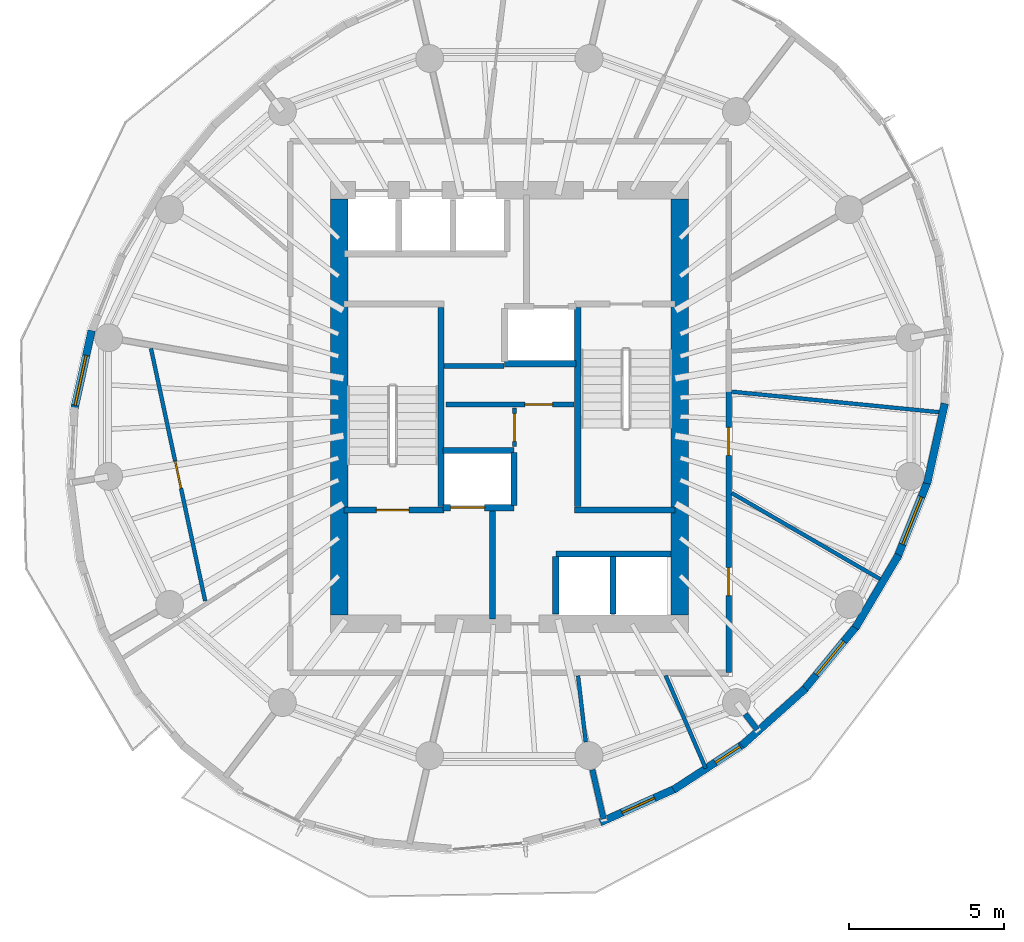
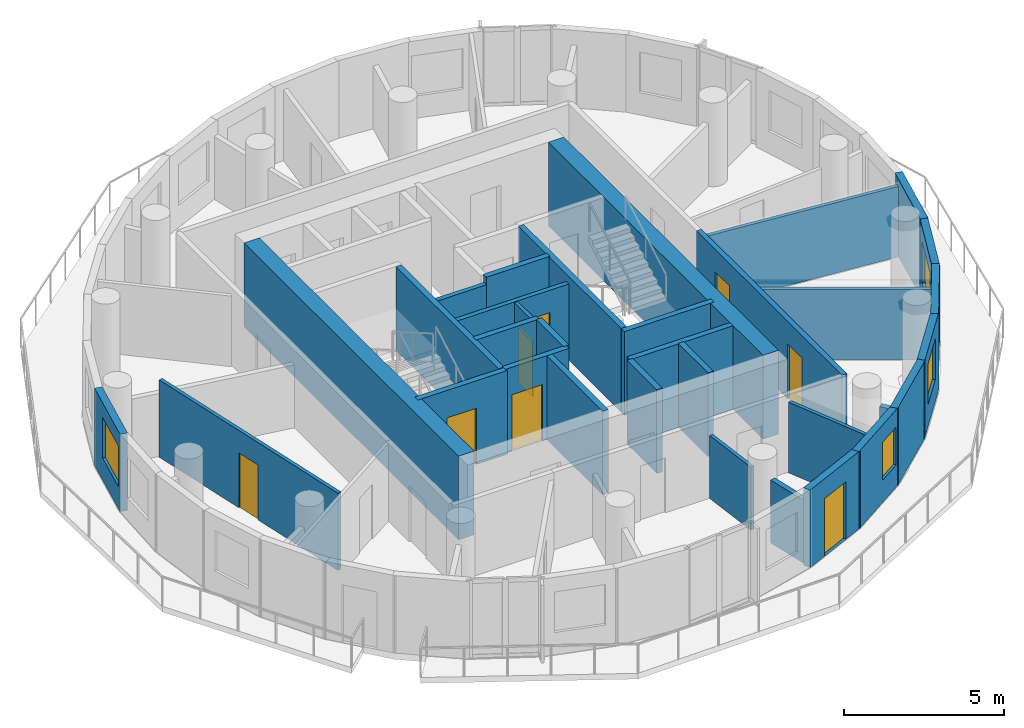
# One storey, part 5 of 10: 33 walls, 8 doors, 4 windows, 12 openings.
"""IFC4 building model written with IfcOpenShell, lengths in metres."""

from ifc_helpers import new_model, si_unit, direction, frame, frame_2d, origin, place, context, subcontext, project, spatial, rectangle, extrude, material, layer, layer_set, type_object, element, fill, save


model = new_model("IFC4")

# Units and contexts
model_context = context("Model", 3, precision=1e-05, world=origin(), true_north=direction((0.0, 1.0)))
body_context = subcontext(model_context, "Body", "Model", "MODEL_VIEW")
ifc_project = project(units=[si_unit("LENGTHUNIT", "METRE"), si_unit("AREAUNIT", "SQUARE_METRE"), si_unit("VOLUMEUNIT", "CUBIC_METRE"), si_unit("PLANEANGLEUNIT", "RADIAN"), si_unit("MASSUNIT", "GRAM", prefix="KILO")], contexts=[model_context])

# Site, building, storey
site_placement = place(None, origin())
site = spatial("IfcSite", under=ifc_project, at=site_placement, CompositionType="ELEMENT")
building_placement = place(site_placement, origin())
building = spatial("IfcBuilding", under=site, at=building_placement, Name="Veldorim Arch Residences", CompositionType="ELEMENT")
storey_placement = place(building_placement, frame((0.0, 0.0, 188.639892578125)))
storey = spatial("IfcBuildingStorey", under=building, at=storey_placement, Name="L56", CompositionType="ELEMENT", Elevation=188.639892578125)

# Wall, opening, door
ifc_material_1 = material(Name="Acoustic Gypsum Board", Category="gypsum")
ifc_layer_1 = layer(ifc_material_1, 0.125, Name="Acoustic Stud Room Partition Wall 125")
ifc_layer_set_1 = layer_set([ifc_layer_1], Name="Acoustic Gypsum Board")
wall_type_1 = type_object("IfcWallType", Name="Acoustic Stud Room Partition Wall 125", PredefinedType="PARTITIONING", material=ifc_layer_set_1)
wall_1_placement = place(storey_placement, frame((32.159912109375, 22.719970703125, 0.0), z_axis=(0.0, 0.0, 1.0), x_axis=(0.0, 1.0, 0.0)))
wall_1 = element("IfcWall", 1, at=wall_1_placement, inside=storey, type_object=wall_type_1, Name="L56 interior wall WL-CA-L56-2", PredefinedType="PARTITIONING", context=body_context, shape_type="SweptSolid", body=[
    extrude(rectangle(XDim=1.25, YDim=0.125, at=frame_2d((0.625, 0.0))), origin(), (0.0, 0.0, 1.0), 2.955078125),
])
opening_1_placement = place(wall_1_placement, frame((0.169921875, 0.0, 0.0)))
opening_1 = element("IfcOpeningElement", 2, at=opening_1_placement, cuts=wall_1, Name="Opening DR-SVC", PredefinedType="OPENING", context=body_context, shape_type="SweptSolid", body=[
    extrude(rectangle(XDim=0.89990234375, YDim=2.10009765625, at=frame_2d((0.449951171875, 1.050048828125))), frame((0.0, 0.072509765625, 0.0), z_axis=(0.0, -1.0, 0.0), x_axis=(1.0, 0.0, 0.0)), (0.0, 0.0, 1.0), 0.14501953125),
])
ifc_material_2 = material(Name="Fire-Rated Steel", Category="steel")
door_type_1 = type_object("IfcDoorType", Name="Riser, Shelter & Plant Room Rated Steel Door 900x2100", OperationType="SINGLE_SWING_LEFT", PredefinedType="DOOR", material=ifc_material_2)
door_1_placement = place(opening_1_placement, origin())
door_1 = element("IfcDoor", 3, at=door_1_placement, inside=storey, type_object=door_type_1, Name="L56 interior door DR-L56-CA2", OperationType="SINGLE_SWING_RIGHT", OverallHeight=2.10009765625, OverallWidth=0.89990234375, PredefinedType="DOOR", context=body_context, shape_type="SweptSolid", body=[
    extrude(rectangle(XDim=0.89990234375, YDim=2.10009765625, at=frame_2d((0.449951171875, 1.050048828125))), frame((0.0, 0.02490234375, 0.0), z_axis=(0.0, -1.0, 0.0), x_axis=(1.0, 0.0, 0.0)), (0.0, 0.0, 1.0), 0.050048828125),
])
fill(opening_1, door_1)

# Walls
wall_2_placement = place(storey_placement, frame((44.06591796875, 18.390380859375, 0.0), z_axis=(0.0, 0.0, 1.0), x_axis=(-0.865092390625, 0.501612555348, 0.0)))
element("IfcWall", 4, at=wall_2_placement, inside=storey, type_object=wall_type_1, Name="L56 interior wall WL-RES-L56-010", PredefinedType="PARTITIONING", context=body_context, shape_type="SweptSolid", body=[
    extrude(rectangle(XDim=5.643310546875, YDim=0.125, at=frame_2d((2.82177734375, 0.0))), origin(), (0.0, 0.0, 1.0), 2.692138671875),
])
wall_3_placement = place(storey_placement, frame((39.179443359375, 24.49658203125, 0.0), z_axis=(0.0, 0.0, 1.0), x_axis=(0.995152744832, -0.098341316102, 0.0)))
element("IfcWall", 5, at=wall_3_placement, inside=storey, type_object=wall_type_1, Name="L56 interior wall WL-RES-L56-011", PredefinedType="PARTITIONING", context=body_context, shape_type="SweptSolid", body=[
    extrude(rectangle(XDim=6.842041015625, YDim=0.125, at=frame_2d((3.4208984375, 0.0))), origin(), (0.0, 0.0, 1.0), 2.692138671875),
])
wall_4_placement = place(storey_placement, frame((38.341796875, 12.33056640625, 0.0), z_axis=(0.0, 0.0, 1.0), x_axis=(-0.396192482216, 0.918167477662, 0.0)))
element("IfcWall", 6, at=wall_4_placement, inside=storey, type_object=wall_type_1, Name="L56 interior wall WL-RES-L56-012", PredefinedType="PARTITIONING", context=body_context, shape_type="SweptSolid", body=[
    extrude(rectangle(XDim=3.2646484375, YDim=0.125, at=frame_2d((1.63232421875, 0.0))), origin(), (0.0, 0.0, 1.0), 2.692138671875),
])
wall_5_placement = place(storey_placement, frame((34.467041015625, 13.17578125, 0.0), z_axis=(0.0, 0.0, 1.0), x_axis=(-0.115430815868, 0.993315522253, 0.0)))
element("IfcWall", 7, at=wall_5_placement, inside=storey, type_object=wall_type_1, Name="L56 interior wall WL-RES-L56-013", PredefinedType="PARTITIONING", context=body_context, shape_type="SweptSolid", body=[
    extrude(rectangle(XDim=2.159423828125, YDim=0.125, at=frame_2d((1.07958984375, 0.0))), origin(), (0.0, 0.0, 1.0), 2.403564453125),
])

# Wall, opening, door
wall_6_placement = place(storey_placement, frame((22.173095703125, 17.73486328125, 0.0), z_axis=(0.0, 0.0, 1.0), x_axis=(-0.20987090056, 0.977729106194, 0.0)))
wall_6 = element("IfcWall", 8, at=wall_6_placement, inside=storey, type_object=wall_type_1, Name="L56 interior wall WL-RES-L56-022", PredefinedType="PARTITIONING", context=body_context, shape_type="SweptSolid", body=[
    extrude(rectangle(XDim=8.3408203125, YDim=0.125, at=frame_2d((4.17041015625, 0.0))), origin(), (0.0, 0.0, 1.0), 2.955078125),
])
opening_2_placement = place(wall_6_placement, frame((3.720458984375, 0.0, 0.0)))
opening_2 = element("IfcOpeningElement", 9, at=opening_2_placement, cuts=wall_6, Name="Opening DR-INT", PredefinedType="OPENING", context=body_context, shape_type="SweptSolid", body=[
    extrude(rectangle(XDim=0.89990234375, YDim=2.10009765625, at=frame_2d((0.449951171875, 1.050048828125))), frame((0.0, 0.072509765625, 0.0), z_axis=(0.0, -1.0, 0.0), x_axis=(1.0, 0.0, 0.0)), (0.0, 0.0, 1.0), 0.14501953125),
])
ifc_material_3 = material(Name="Engineered Timber", Category="wood")
door_type_2 = type_object("IfcDoorType", Name="Apartment Internal Room Timber Door 900x2100", OperationType="SINGLE_SWING_LEFT", PredefinedType="DOOR", material=ifc_material_3)
door_2_placement = place(opening_2_placement, origin())
door_2 = element("IfcDoor", 10, at=door_2_placement, inside=storey, type_object=door_type_2, Name="L56 interior door DR-RES-L56-015", OperationType="SINGLE_SWING_LEFT", OverallHeight=2.10009765625, OverallWidth=0.89990234375, PredefinedType="DOOR", context=body_context, shape_type="SweptSolid", body=[
    extrude(rectangle(XDim=0.89990234375, YDim=2.10009765625, at=frame_2d((0.449951171875, 1.050048828125))), frame((0.0, 0.02490234375, 0.0), z_axis=(0.0, -1.0, 0.0), x_axis=(1.0, 0.0, 0.0)), (0.0, 0.0, 1.0), 0.050048828125),
])
fill(opening_2, door_2)

# Walls
ifc_material_4 = material(Name="Lightweight Masonry Block & Gypsum", Category="masonry")
ifc_layer_2 = layer(ifc_material_4, 0.179931640625, Name="Compartment & Corridor Fire-Rated Party Wall 180")
ifc_layer_set_2 = layer_set([ifc_layer_2], Name="Lightweight Masonry Block & Gypsum")
wall_type_2 = type_object("IfcWallType", Name="Compartment & Corridor Fire-Rated Party Wall 180", PredefinedType="PARTITIONING", material=ifc_layer_set_2)
wall_7_placement = place(storey_placement, frame((34.679931640625, 12.282470703125, 0.0), z_axis=(0.0, 0.0, 1.0), x_axis=(0.222967107114, -0.974825968645, 0.0)))
element("IfcWall", 11, at=wall_7_placement, inside=storey, type_object=wall_type_2, Name="L56 interior wall WL-PIER-L56-13", PredefinedType="PARTITIONING", context=body_context, shape_type="SweptSolid", body=[
    extrude(rectangle(XDim=1.63037109375, YDim=0.179931640625, at=frame_2d((0.815185546875, 0.0))), origin(), (0.0, 0.0, 1.0), 2.403564453125),
])
wall_8_placement = place(storey_placement, frame((39.619873046875, 14.08203125, 0.0), z_axis=(0.0, 0.0, 1.0), x_axis=(0.609112888366, -0.793083532314, 0.0)))
element("IfcWall", 12, at=wall_8_placement, inside=storey, type_object=wall_type_2, Name="L56 interior wall WL-PIER-L56-14", PredefinedType="PARTITIONING", context=body_context, shape_type="SweptSolid", body=[
    extrude(rectangle(XDim=0.631591796875, YDim=0.179931640625, at=frame_2d((0.31591796875, 0.0))), origin(), (0.0, 0.0, 1.0), 2.403564453125),
])

# Wall, openings, doors
wall_9_placement = place(storey_placement, frame((39.080078125, 24.5263671875, 0.0), z_axis=(0.0, 0.0, 1.0), x_axis=(0.0, -1.0, 0.0)))
wall_9 = element("IfcWall", 13, at=wall_9_placement, inside=storey, type_object=wall_type_2, Name="L56 interior wall WL-RES-L56-002", PredefinedType="PARTITIONING", context=body_context, shape_type="SweptSolid", body=[
    extrude(rectangle(XDim=9.1064453125, YDim=0.179931640625, at=frame_2d((4.55322265625, 0.0))), origin(), (0.0, 0.0, 1.0), 2.955078125),
])
opening_3_placement = place(wall_9_placement, frame((1.183837890625, 0.0, 0.0)))
opening_3 = element("IfcOpeningElement", 14, at=opening_3_placement, cuts=wall_9, Name="Opening DR-INT", PredefinedType="OPENING", context=body_context, shape_type="SweptSolid", body=[
    extrude(rectangle(XDim=0.89990234375, YDim=2.10009765625, at=frame_2d((0.449951171875, 1.050048828125))), frame((0.0, 0.099853515625, 0.0), z_axis=(0.0, -1.0, 0.0), x_axis=(1.0, 0.0, 0.0)), (0.0, 0.0, 1.0), 0.199951171875),
])
opening_4_placement = place(wall_9_placement, frame((5.715576171875, 0.0, 0.0)))
opening_4 = element("IfcOpeningElement", 15, at=opening_4_placement, cuts=wall_9, Name="Opening DR-INT", PredefinedType="OPENING", context=body_context, shape_type="SweptSolid", body=[
    extrude(rectangle(XDim=0.89990234375, YDim=2.10009765625, at=frame_2d((0.449951171875, 1.050048828125))), frame((0.0, 0.099853515625, 0.0), z_axis=(0.0, -1.0, 0.0), x_axis=(1.0, 0.0, 0.0)), (0.0, 0.0, 1.0), 0.199951171875),
])
door_3_placement = place(opening_3_placement, origin())
door_3 = element("IfcDoor", 16, at=door_3_placement, inside=storey, type_object=door_type_2, Name="L56 interior door DR-RES-L56-002", OperationType="SINGLE_SWING_RIGHT", OverallHeight=2.10009765625, OverallWidth=0.89990234375, PredefinedType="DOOR", context=body_context, shape_type="SweptSolid", body=[
    extrude(rectangle(XDim=0.89990234375, YDim=2.10009765625, at=frame_2d((0.449951171875, 1.050048828125))), frame((0.0, 0.02490234375, 0.0), z_axis=(0.0, -1.0, 0.0), x_axis=(1.0, 0.0, 0.0)), (0.0, 0.0, 1.0), 0.050048828125),
])
fill(opening_3, door_3)
door_4_placement = place(opening_4_placement, origin())
door_4 = element("IfcDoor", 17, at=door_4_placement, inside=storey, type_object=door_type_2, Name="L56 interior door DR-RES-L56-003", OperationType="SINGLE_SWING_LEFT", OverallHeight=2.10009765625, OverallWidth=0.89990234375, PredefinedType="DOOR", context=body_context, shape_type="SweptSolid", body=[
    extrude(rectangle(XDim=0.89990234375, YDim=2.10009765625, at=frame_2d((0.449951171875, 1.050048828125))), frame((0.0, 0.02490234375, 0.0), z_axis=(0.0, -1.0, 0.0), x_axis=(1.0, 0.0, 0.0)), (0.0, 0.0, 1.0), 0.050048828125),
])
fill(opening_4, door_4)

# Wall
ifc_material_5 = material(Name="Concrete C50/60", Category="concrete")
ifc_layer_3 = layer(ifc_material_5, 0.199951171875, Name="Core Stair & Lift Shaft Enclosure Wall 200")
ifc_layer_set_3 = layer_set([ifc_layer_3], Name="Concrete C50/60")
wall_type_3 = type_object("IfcWallType", Name="Core Stair & Lift Shaft Enclosure Wall 200", PredefinedType="SHEAR", material=ifc_layer_set_3)
wall_10_placement = place(storey_placement, frame((29.7900390625, 20.780029296875, 0.0), z_axis=(0.0, 0.0, 1.0), x_axis=(0.0, 1.0, 0.0)))
element("IfcWall", 18, at=wall_10_placement, inside=storey, type_object=wall_type_3, Name="L56 shaft wall WL-SHF-L56-ST1-E", PredefinedType="SHEAR", context=body_context, shape_type="SweptSolid", body=[
    extrude(rectangle(XDim=6.43994140625, YDim=0.199951171875, at=frame_2d((3.219970703125, 0.0))), origin(), (0.0, 0.0, 1.0), 3.2001953125),
])

# Wall, opening, door
wall_11_placement = place(storey_placement, frame((26.64990234375, 20.669921875, 0.0), z_axis=(0.0, 0.0, 1.0), x_axis=(1.0, 0.0, 0.0)))
wall_11 = element("IfcWall", 19, at=wall_11_placement, inside=storey, type_object=wall_type_3, Name="L56 shaft wall WL-SHF-L56-ST1-S", PredefinedType="SHEAR", context=body_context, shape_type="SweptSolid", body=[
    extrude(rectangle(XDim=3.239990234375, YDim=0.199951171875, at=frame_2d((1.6201171875, 0.0))), origin(), (0.0, 0.0, 1.0), 3.2001953125),
])
opening_5_placement = place(wall_11_placement, frame((1.054931640625, 0.0, 0.0)))
opening_5 = element("IfcOpeningElement", 20, at=opening_5_placement, cuts=wall_11, Name="Opening DR-ST", PredefinedType="OPENING", context=body_context, shape_type="SweptSolid", body=[
    extrude(rectangle(XDim=1.050048828125, YDim=2.14990234375, at=frame_2d((0.52490234375, 1.074951171875))), frame((0.0, 0.10986328125, 0.0), z_axis=(0.0, -1.0, 0.0), x_axis=(1.0, 0.0, 0.0)), (0.0, 0.0, 1.0), 0.219970703125),
])
ifc_material_6 = material(Name="Fire-Rated Steel", Category="steel")
door_type_3 = type_object("IfcDoorType", Name="Exit Staircase Self-Closing Fire Door 1050x2150", OperationType="SINGLE_SWING_LEFT", PredefinedType="DOOR", material=ifc_material_6)
door_5_placement = place(opening_5_placement, origin())
door_5 = element("IfcDoor", 21, at=door_5_placement, inside=storey, type_object=door_type_3, Name="L56 interior door DR-L56-ST1", OperationType="SINGLE_SWING_LEFT", OverallHeight=2.14990234375, OverallWidth=1.050048828125, PredefinedType="DOOR", context=body_context, shape_type="SweptSolid", body=[
    extrude(rectangle(XDim=1.050048828125, YDim=2.14990234375, at=frame_2d((0.52490234375, 1.074951171875))), frame((0.0, 0.02490234375, 0.0), z_axis=(0.0, -1.0, 0.0), x_axis=(1.0, 0.0, 0.0)), (0.0, 0.0, 1.0), 0.050048828125),
])
fill(opening_5, door_5)

# Walls
wall_12_placement = place(storey_placement, frame((34.2099609375, 20.780029296875, 0.0), z_axis=(0.0, 0.0, 1.0), x_axis=(0.0, 1.0, 0.0)))
element("IfcWall", 22, at=wall_12_placement, inside=storey, type_object=wall_type_3, Name="L56 shaft wall WL-SHF-L56-ST2-W", PredefinedType="SHEAR", context=body_context, shape_type="SweptSolid", body=[
    extrude(rectangle(XDim=6.43994140625, YDim=0.199951171875, at=frame_2d((3.219970703125, 0.0))), origin(), (0.0, 0.0, 1.0), 3.2001953125),
])
wall_13_placement = place(storey_placement, frame((34.110107421875, 20.669921875, 0.0), z_axis=(0.0, 0.0, 1.0), x_axis=(1.0, 0.0, 0.0)))
element("IfcWall", 23, at=wall_13_placement, inside=storey, type_object=wall_type_3, Name="L56 shaft wall WL-SHF-L56-ST2-S", PredefinedType="SHEAR", context=body_context, shape_type="SweptSolid", body=[
    extrude(rectangle(XDim=3.239990234375, YDim=0.199951171875, at=frame_2d((1.6201171875, 0.0))), origin(), (0.0, 0.0, 1.0), 3.2001953125),
])
wall_14_placement = place(storey_placement, frame((31.449951171875, 17.14990234375, 0.0), z_axis=(0.0, 0.0, 1.0), x_axis=(0.0, 1.0, 0.0)))
element("IfcWall", 24, at=wall_14_placement, inside=storey, type_object=wall_type_3, Name="L56 shaft wall WL-FFL1-L56-E", PredefinedType="SHEAR", context=body_context, shape_type="SweptSolid", body=[
    extrude(rectangle(XDim=3.5, YDim=0.199951171875, at=frame_2d((1.75, 0.0))), origin(), (0.0, 0.0, 1.0), 3.2001953125),
])

# Wall, opening, door
wall_15_placement = place(storey_placement, frame((29.85009765625, 20.75, 0.0), z_axis=(0.0, 0.0, 1.0), x_axis=(1.0, 0.0, 0.0)))
wall_15 = element("IfcWall", 25, at=wall_15_placement, inside=storey, type_object=wall_type_3, Name="L56 shaft wall WL-FL01-L56-S", PredefinedType="SHEAR", context=body_context, shape_type="SweptSolid", body=[
    extrude(rectangle(XDim=2.2998046875, YDim=0.199951171875, at=frame_2d((1.14990234375, 0.0))), origin(), (0.0, 0.0, 1.0), 3.2001953125),
])
opening_6_placement = place(wall_15_placement, frame((0.25, 0.0, 0.0)))
opening_6 = element("IfcOpeningElement", 26, at=opening_6_placement, cuts=wall_15, Name="Opening LD-FF", PredefinedType="OPENING", context=body_context, shape_type="SweptSolid", body=[
    extrude(rectangle(XDim=1.10009765625, YDim=2.14990234375, at=frame_2d((0.550048828125, 1.074951171875))), frame((0.0, 0.10986328125, 0.0), z_axis=(0.0, -1.0, 0.0), x_axis=(1.0, 0.0, 0.0)), (0.0, 0.0, 1.0), 0.219970703125),
])
ifc_material_7 = material(Name="Stainless Steel", Category="steel")
door_type_4 = type_object("IfcDoorType", Name="Firefighting Lift Bi-Parting Sliding Landing Door 1100x2150", OperationType="DOUBLE_DOOR_SLIDING", PredefinedType="DOOR", material=ifc_material_7)
door_6_placement = place(opening_6_placement, origin())
door_6 = element("IfcDoor", 27, at=door_6_placement, inside=storey, type_object=door_type_4, Name="L56 lift landing door LD-L56-FL01", OperationType="DOUBLE_DOOR_SLIDING", OverallHeight=2.14990234375, OverallWidth=1.10009765625, PredefinedType="DOOR", context=body_context, shape_type="SweptSolid", body=[
    extrude(rectangle(XDim=1.10009765625, YDim=2.14990234375, at=frame_2d((0.550048828125, 1.074951171875))), frame((0.0, 0.02490234375, 0.0), z_axis=(0.0, -1.0, 0.0), x_axis=(1.0, 0.0, 0.0)), (0.0, 0.0, 1.0), 0.050048828125),
])
fill(opening_6, door_6)

# Walls
wall_16_placement = place(storey_placement, frame((29.85009765625, 22.60009765625, 0.0), z_axis=(0.0, 0.0, 1.0), x_axis=(1.0, 0.0, 0.0)))
element("IfcWall", 28, at=wall_16_placement, inside=storey, type_object=wall_type_3, Name="L56 shaft wall WL-FL01-L56-N", PredefinedType="SHEAR", context=body_context, shape_type="SweptSolid", body=[
    extrude(rectangle(XDim=2.2998046875, YDim=0.199951171875, at=frame_2d((1.14990234375, 0.0))), origin(), (0.0, 0.0, 1.0), 3.2001953125),
])
wall_17_placement = place(storey_placement, frame((32.14990234375, 20.820068359375, 0.0), z_axis=(0.0, 0.0, 1.0), x_axis=(0.0, 1.0, 0.0)))
element("IfcWall", 29, at=wall_17_placement, inside=storey, type_object=wall_type_3, Name="L56 shaft wall WL-FL01-L56-E", PredefinedType="SHEAR", context=body_context, shape_type="SweptSolid", body=[
    extrude(rectangle(XDim=1.7099609375, YDim=0.199951171875, at=frame_2d((0.85498046875, 0.0))), origin(), (0.0, 0.0, 1.0), 3.2001953125),
])
wall_18_placement = place(storey_placement, frame((31.85009765625, 25.39990234375, 0.0), z_axis=(0.0, 0.0, 1.0), x_axis=(1.0, 0.0, 0.0)))
element("IfcWall", 30, at=wall_18_placement, inside=storey, type_object=wall_type_3, Name="L56 shaft wall WL-FL02-L56-S", PredefinedType="SHEAR", context=body_context, shape_type="SweptSolid", body=[
    extrude(rectangle(XDim=2.2998046875, YDim=0.199951171875, at=frame_2d((1.14990234375, 0.0))), origin(), (0.0, 0.0, 1.0), 3.2001953125),
])
wall_19_placement = place(storey_placement, frame((33.5, 19.25, 0.0), z_axis=(0.0, 0.0, 1.0), x_axis=(1.0, 0.0, 0.0)))
element("IfcWall", 31, at=wall_19_placement, inside=storey, type_object=wall_type_3, Name="L56 shaft wall WL-OL-L56-N", PredefinedType="SHEAR", context=body_context, shape_type="SweptSolid", body=[
    extrude(rectangle(XDim=3.719970703125, YDim=0.199951171875, at=frame_2d((1.85986328125, 0.0))), origin(), (0.0, 0.0, 1.0), 3.2001953125),
])
for number, where, z_axis, x_axis, name in (
    (32, (33.5, 17.320068359375, 0.0), (0.0, 0.0, 1.0), (0.0, 1.0, 0.0), "L56 shaft wall WL-OL-L56-W"),
    (33, (35.35009765625, 17.320068359375, 0.0), (0.0, 0.0, 1.0), (0.0, 1.0, 0.0), "L56 shaft wall WL-OL-L56-D1"),
):
    element("IfcWall", number, at=place(storey_placement, frame(where, z_axis=z_axis, x_axis=x_axis)), inside=storey, type_object=wall_type_3, Name=name, PredefinedType="SHEAR", context=body_context, shape_type="SweptSolid", body=[
        extrude(rectangle(XDim=1.85986328125, YDim=0.199951171875, at=frame_2d((0.929931640625, 0.0))), origin(), (0.0, 0.0, 1.0), 3.2001953125),
    ])

# Wall, opening, window
ifc_material_8 = material(Name="Precast concrete C40/50", Category="concrete")
ifc_layer_4 = layer(ifc_material_8, 0.25, Name="Tower Terracotta Spandrel & Pier Wall 250")
ifc_layer_set_4 = layer_set([ifc_layer_4], Name="Precast concrete C40/50")
wall_type_4 = type_object("IfcWallType", Name="Tower Terracotta Spandrel & Pier Wall 250", PredefinedType="SOLIDWALL", material=ifc_layer_set_4)
wall_20_placement = place(storey_placement, frame((17.931884765625, 23.884033203125, 0.0), z_axis=(0.0, 0.0, 1.0), x_axis=(0.215877166516, 0.976420528756, 0.0)))
wall_20 = element("IfcWall", 34, at=wall_20_placement, inside=storey, type_object=wall_type_4, Name="L56 terracotta facade wall 13", PredefinedType="SOLIDWALL", context=body_context, shape_type="SweptSolid", body=[
    extrude(rectangle(XDim=2.65087890625, YDim=0.25, at=frame_2d((1.325439453125, 0.0))), origin(), (0.0, 0.0, 1.0), 2.960205078125),
])
opening_7_placement = place(wall_20_placement, frame((0.175048828125, 0.0, 0.85009765625)))
opening_7 = element("IfcOpeningElement", 35, at=opening_7_placement, cuts=wall_20, Name="Opening WN-03", PredefinedType="OPENING", context=body_context, shape_type="SweptSolid", body=[
    extrude(rectangle(XDim=1.64990234375, YDim=1.550048828125, at=frame_2d((0.824951171875, 0.77490234375))), frame((0.0, 0.135009765625, 0.0), z_axis=(0.0, -1.0, 0.0), x_axis=(1.0, 0.0, 0.0)), (0.0, 0.0, 1.0), 0.27001953125),
])
ifc_material_9 = material(Name="Laminated Low-E Glass", Category="glass")
window_type_1 = type_object("IfcWindowType", Name="Residential Wide Window 1650x1550", PartitioningType="SINGLE_PANEL", PredefinedType="WINDOW", material=ifc_material_9)
window_1_placement = place(opening_7_placement, origin())
window_1 = element("IfcWindow", 36, at=window_1_placement, inside=storey, type_object=window_type_1, Name="L56 solar-control facade window 13", OverallHeight=1.550048828125, OverallWidth=1.64990234375, PartitioningType="SINGLE_PANEL", PredefinedType="WINDOW", context=body_context, shape_type="SweptSolid", body=[
    extrude(rectangle(XDim=1.64990234375, YDim=1.550048828125, at=frame_2d((0.824951171875, 0.77490234375))), frame((0.0, 0.030029296875, 0.0), z_axis=(0.0, -1.0, 0.0), x_axis=(1.0, 0.0, 0.0)), (0.0, 0.0, 1.0), 0.06005859375),
])
fill(opening_7, window_1)

# Wall, opening, door
wall_21_placement = place(storey_placement, frame((37.3974609375, 11.687255859375, 0.0), z_axis=(0.0, 0.0, 1.0), x_axis=(-0.912615139532, -0.408819773368, 0.0)))
wall_21 = element("IfcWall", 37, at=wall_21_placement, inside=storey, type_object=wall_type_4, Name="L56 terracotta facade wall 25", PredefinedType="SOLIDWALL", context=body_context, shape_type="SweptSolid", body=[
    extrude(rectangle(XDim=2.70166015625, YDim=0.25, at=frame_2d((1.350830078125, 0.0))), origin(), (0.0, 0.0, 1.0), 2.960205078125),
])
opening_8_placement = place(wall_21_placement, frame((0.77587890625, 0.0, 0.0)))
opening_8 = element("IfcOpeningElement", 38, at=opening_8_placement, cuts=wall_21, Name="Opening BL-DR", PredefinedType="OPENING", context=body_context, shape_type="SweptSolid", body=[
    extrude(rectangle(XDim=1.14990234375, YDim=2.199951171875, at=frame_2d((0.574951171875, 1.10009765625))), frame((0.0, 0.135009765625, 0.0), z_axis=(0.0, -1.0, 0.0), x_axis=(1.0, 0.0, 0.0)), (0.0, 0.0, 1.0), 0.27001953125),
])
ifc_material_10 = material(Name="Aluminium & Low-E Glass", Category="aluminium")
door_type_5 = type_object("IfcDoorType", Name="Glazed Planted Balcony Door 1150x2200", OperationType="SINGLE_SWING_LEFT", PredefinedType="DOOR", material=ifc_material_10)
door_7_placement = place(opening_8_placement, origin())
door_7 = element("IfcDoor", 39, at=door_7_placement, inside=storey, type_object=door_type_5, Name="L56 glazed outdoor terrace door BALC-2", OperationType="SINGLE_SWING_LEFT", OverallHeight=2.199951171875, OverallWidth=1.14990234375, PredefinedType="DOOR", context=body_context, shape_type="SweptSolid", body=[
    extrude(rectangle(XDim=1.14990234375, YDim=2.199951171875, at=frame_2d((0.574951171875, 1.10009765625))), frame((0.0, 0.02490234375, 0.0), z_axis=(0.0, -1.0, 0.0), x_axis=(1.0, 0.0, 0.0)), (0.0, 0.0, 1.0), 0.050048828125),
])
fill(opening_8, door_7)

# Wall, opening, window
wall_22_placement = place(storey_placement, frame((39.595947265625, 13.1298828125, 0.0), z_axis=(0.0, 0.0, 1.0), x_axis=(-0.837860586987, -0.545884270496, 0.0)))
wall_22 = element("IfcWall", 40, at=wall_22_placement, inside=storey, type_object=wall_type_4, Name="L56 terracotta facade wall 26", PredefinedType="SOLIDWALL", context=body_context, shape_type="SweptSolid", body=[
    extrude(rectangle(XDim=2.738525390625, YDim=0.25, at=frame_2d((1.369140625, 0.0))), origin(), (0.0, 0.0, 1.0), 2.960205078125),
])
opening_9_placement = place(wall_22_placement, frame((0.175048828125, 0.0, 0.85009765625)))
opening_9 = element("IfcOpeningElement", 41, at=opening_9_placement, cuts=wall_22, Name="Opening WN-05", PredefinedType="OPENING", context=body_context, shape_type="SweptSolid", body=[
    extrude(rectangle(XDim=0.949951171875, YDim=1.449951171875, at=frame_2d((0.47509765625, 0.72509765625))), frame((0.0, 0.135009765625, 0.0), z_axis=(0.0, -1.0, 0.0), x_axis=(1.0, 0.0, 0.0)), (0.0, 0.0, 1.0), 0.27001953125),
])
ifc_material_11 = material(Name="Laminated Low-E Glass", Category="glass")
window_type_2 = type_object("IfcWindowType", Name="Residential Compact Casement Window 950x1450", PartitioningType="SINGLE_PANEL", PredefinedType="WINDOW", material=ifc_material_11)
window_2_placement = place(opening_9_placement, origin())
window_2 = element("IfcWindow", 42, at=window_2_placement, inside=storey, type_object=window_type_2, Name="L56 solar-control facade window 26", OverallHeight=1.449951171875, OverallWidth=0.949951171875, PartitioningType="SINGLE_PANEL", PredefinedType="WINDOW", context=body_context, shape_type="SweptSolid", body=[
    extrude(rectangle(XDim=0.949951171875, YDim=1.449951171875, at=frame_2d((0.47509765625, 0.72509765625))), frame((0.0, 0.030029296875, 0.0), z_axis=(0.0, -1.0, 0.0), x_axis=(1.0, 0.0, 0.0)), (0.0, 0.0, 1.0), 0.06005859375),
])
fill(opening_9, window_2)

# Wall
wall_23_placement = place(storey_placement, frame((41.56396484375, 14.90380859375, 0.0), z_axis=(0.0, 0.0, 1.0), x_axis=(-0.744898573364, -0.667177723998, 0.0)))
element("IfcWall", 43, at=wall_23_placement, inside=storey, type_object=wall_type_4, Name="L56 terracotta facade wall 27", PredefinedType="SOLIDWALL", context=body_context, shape_type="SweptSolid", body=[
    extrude(rectangle(XDim=2.758056640625, YDim=0.25, at=frame_2d((1.37890625, 0.0))), origin(), (0.0, 0.0, 1.0), 2.960205078125),
])

# Wall, opening, window
wall_24_placement = place(storey_placement, frame((43.2412109375, 16.955078125, 0.0), z_axis=(0.0, 0.0, 1.0), x_axis=(-0.635409334306, -0.772175483861, 0.0)))
wall_24 = element("IfcWall", 44, at=wall_24_placement, inside=storey, type_object=wall_type_4, Name="L56 terracotta facade wall 28", PredefinedType="SOLIDWALL", context=body_context, shape_type="SweptSolid", body=[
    extrude(rectangle(XDim=2.758056640625, YDim=0.25, at=frame_2d((1.37890625, 0.0))), origin(), (0.0, 0.0, 1.0), 2.960205078125),
])
opening_10_placement = place(wall_24_placement, frame((0.678955078125, 0.0, 0.85009765625)))
opening_10 = element("IfcOpeningElement", 45, at=opening_10_placement, cuts=wall_24, Name="Opening WN-02", PredefinedType="OPENING", context=body_context, shape_type="SweptSolid", body=[
    extrude(rectangle(XDim=1.39990234375, YDim=1.550048828125, at=frame_2d((0.699951171875, 0.77490234375))), frame((0.0, 0.135009765625, 0.0), z_axis=(0.0, -1.0, 0.0), x_axis=(1.0, 0.0, 0.0)), (0.0, 0.0, 1.0), 0.27001953125),
])
ifc_material_12 = material(Name="Laminated Low-E Glass", Category="glass")
window_type_3 = type_object("IfcWindowType", Name="Residential Casement Window 1400x1550", PartitioningType="SINGLE_PANEL", PredefinedType="WINDOW", material=ifc_material_12)
window_3_placement = place(opening_10_placement, origin())
window_3 = element("IfcWindow", 46, at=window_3_placement, inside=storey, type_object=window_type_3, Name="L56 solar-control facade window 28", OverallHeight=1.550048828125, OverallWidth=1.39990234375, PartitioningType="SINGLE_PANEL", PredefinedType="WINDOW", context=body_context, shape_type="SweptSolid", body=[
    extrude(rectangle(XDim=1.39990234375, YDim=1.550048828125, at=frame_2d((0.699951171875, 0.77490234375))), frame((0.0, 0.030029296875, 0.0), z_axis=(0.0, -1.0, 0.0), x_axis=(1.0, 0.0, 0.0)), (0.0, 0.0, 1.0), 0.06005859375),
])
fill(opening_10, window_3)

# Wall
wall_25_placement = place(storey_placement, frame((44.576171875, 19.220947265625, 0.0), z_axis=(0.0, 0.0, 1.0), x_axis=(-0.510320389621, -0.859984360287, 0.0)))
element("IfcWall", 47, at=wall_25_placement, inside=storey, type_object=wall_type_4, Name="L56 terracotta facade wall 29", PredefinedType="SOLIDWALL", context=body_context, shape_type="SweptSolid", body=[
    extrude(rectangle(XDim=2.73828125, YDim=0.25, at=frame_2d((1.369140625, 0.0))), origin(), (0.0, 0.0, 1.0), 2.960205078125),
])

# Wall, opening, window
wall_26_placement = place(storey_placement, frame((45.5283203125, 21.632568359375, 0.0), z_axis=(0.0, 0.0, 1.0), x_axis=(-0.370330939431, -0.928899884433, 0.0)))
wall_26 = element("IfcWall", 48, at=wall_26_placement, inside=storey, type_object=wall_type_4, Name="L56 terracotta facade wall 30", PredefinedType="SOLIDWALL", context=body_context, shape_type="SweptSolid", body=[
    extrude(rectangle(XDim=2.70166015625, YDim=0.25, at=frame_2d((1.350830078125, 0.0))), origin(), (0.0, 0.0, 1.0), 2.960205078125),
])
opening_11_placement = place(wall_26_placement, frame((0.575927734375, 0.0, 0.85009765625)))
opening_11 = element("IfcOpeningElement", 49, at=opening_11_placement, cuts=wall_26, Name="Opening WN-03", PredefinedType="OPENING", context=body_context, shape_type="SweptSolid", body=[
    extrude(rectangle(XDim=1.64990234375, YDim=1.550048828125, at=frame_2d((0.824951171875, 0.77490234375))), frame((0.0, 0.135009765625, 0.0), z_axis=(0.0, -1.0, 0.0), x_axis=(1.0, 0.0, 0.0)), (0.0, 0.0, 1.0), 0.27001953125),
])
window_4_placement = place(opening_11_placement, origin())
window_4 = element("IfcWindow", 50, at=window_4_placement, inside=storey, type_object=window_type_1, Name="L56 solar-control facade window 30", OverallHeight=1.550048828125, OverallWidth=1.64990234375, PartitioningType="SINGLE_PANEL", PredefinedType="WINDOW", context=body_context, shape_type="SweptSolid", body=[
    extrude(rectangle(XDim=1.64990234375, YDim=1.550048828125, at=frame_2d((0.824951171875, 0.77490234375))), frame((0.0, 0.030029296875, 0.0), z_axis=(0.0, -1.0, 0.0), x_axis=(1.0, 0.0, 0.0)), (0.0, 0.0, 1.0), 0.06005859375),
])
fill(opening_11, window_4)

# Walls
wall_27_placement = place(storey_placement, frame((46.068115234375, 24.115966796875, 0.0), z_axis=(0.0, 0.0, 1.0), x_axis=(-0.215877166516, -0.976420528756, 0.0)))
element("IfcWall", 51, at=wall_27_placement, inside=storey, type_object=wall_type_4, Name="L56 terracotta facade wall 31", PredefinedType="SOLIDWALL", context=body_context, shape_type="SweptSolid", body=[
    extrude(rectangle(XDim=2.65087890625, YDim=0.25, at=frame_2d((1.325439453125, 0.0))), origin(), (0.0, 0.0, 1.0), 2.960205078125),
])
ifc_material_13 = material(Name="Concrete C50/60", Category="concrete")
ifc_layer_5 = layer(ifc_material_13, 0.5, Name="Upper Central Core Shear Wall 560")
ifc_layer_set_5 = layer_set([ifc_layer_5], Name="Concrete C50/60")
wall_type_5 = type_object("IfcWallType", Name="Upper Central Core Shear Wall 560", PredefinedType="SHEAR", material=ifc_layer_set_5)
for number, where, z_axis, x_axis, name in (
    (52, (26.5, 17.280029296875, 0.0), (0.0, 0.0, 1.0), (0.0, 1.0, 0.0), "L56 central core west shear wall"),
    (53, (37.5, 17.280029296875, 0.0), (0.0, 0.0, 1.0), (0.0, 1.0, 0.0), "L56 central core east shear wall"),
):
    element("IfcWall", number, at=place(storey_placement, frame(where, z_axis=z_axis, x_axis=x_axis)), inside=storey, type_object=wall_type_5, Name=name, PredefinedType="SHEAR", context=body_context, shape_type="SweptSolid", body=[
        extrude(rectangle(XDim=13.43994140625, YDim=0.56005859375, at=frame_2d((6.719970703125, 0.0))), origin(), (0.0, 0.0, 1.0), 3.2001953125),
    ])

# Wall, opening, door
ifc_material_14 = material(Name="Moisture-Resistant Gypsum & Stud", Category="gypsum")
ifc_layer_6 = layer(ifc_material_14, 0.159912109375, Name="Wet-Area Moisture-Resistant Plumbing Wall 160")
ifc_layer_set_6 = layer_set([ifc_layer_6], Name="Moisture-Resistant Gypsum & Stud")
wall_type_6 = type_object("IfcWallType", Name="Wet-Area Moisture-Resistant Plumbing Wall 160", PredefinedType="PLUMBINGWALL", material=ifc_layer_set_6)
wall_28_placement = place(storey_placement, frame((29.949951171875, 24.080078125, 0.0), z_axis=(0.0, 0.0, 1.0), x_axis=(1.0, 0.0, 0.0)))
wall_28 = element("IfcWall", 54, at=wall_28_placement, inside=storey, type_object=wall_type_6, Name="L56 interior wall WL-CA-L56-1", PredefinedType="PLUMBINGWALL", context=body_context, shape_type="SweptSolid", body=[
    extrude(rectangle(XDim=4.130126953125, YDim=0.159912109375, at=frame_2d((2.06494140625, 0.0))), origin(), (0.0, 0.0, 1.0), 2.955078125),
])
opening_12_placement = place(wall_28_placement, frame((2.550048828125, 0.0, 0.0)))
opening_12 = element("IfcOpeningElement", 55, at=opening_12_placement, cuts=wall_28, Name="Opening DR-WC", PredefinedType="OPENING", context=body_context, shape_type="SweptSolid", body=[
    extrude(rectangle(XDim=0.89990234375, YDim=2.10009765625, at=frame_2d((0.449951171875, 1.050048828125))), frame((0.0, 0.08984375, 0.0), z_axis=(0.0, -1.0, 0.0), x_axis=(1.0, 0.0, 0.0)), (0.0, 0.0, 1.0), 0.179931640625),
])
ifc_material_15 = material(Name="Laminate Timber", Category="wood")
door_type_6 = type_object("IfcDoorType", Name="Bathroom & Accessible WC Moisture-Sealed Door 900x2100", OperationType="SINGLE_SWING_LEFT", PredefinedType="DOOR", material=ifc_material_15)
door_8_placement = place(opening_12_placement, origin())
door_8 = element("IfcDoor", 56, at=door_8_placement, inside=storey, type_object=door_type_6, Name="L56 interior door DR-L56-CA1", OperationType="SINGLE_SWING_LEFT", OverallHeight=2.10009765625, OverallWidth=0.89990234375, PredefinedType="DOOR", context=body_context, shape_type="SweptSolid", body=[
    extrude(rectangle(XDim=0.89990234375, YDim=2.10009765625, at=frame_2d((0.449951171875, 1.050048828125))), frame((0.0, 0.02490234375, 0.0), z_axis=(0.0, -1.0, 0.0), x_axis=(1.0, 0.0, 0.0)), (0.0, 0.0, 1.0), 0.050048828125),
])
fill(opening_12, door_8)

# Wall
wall_29_placement = place(storey_placement, frame((29.889892578125, 25.330078125, 0.0), z_axis=(0.0, 0.0, 1.0), x_axis=(1.0, 0.0, 0.0)))
element("IfcWall", 57, at=wall_29_placement, inside=storey, type_object=wall_type_6, Name="L56 interior wall WL-CA-L56-N", PredefinedType="PLUMBINGWALL", context=body_context, shape_type="SweptSolid", body=[
    extrude(rectangle(XDim=1.940185546875, YDim=0.159912109375, at=frame_2d((0.97021484375, 0.0))), origin(), (0.0, 0.0, 1.0), 2.955078125),
])

save(model, "model.ifc")
